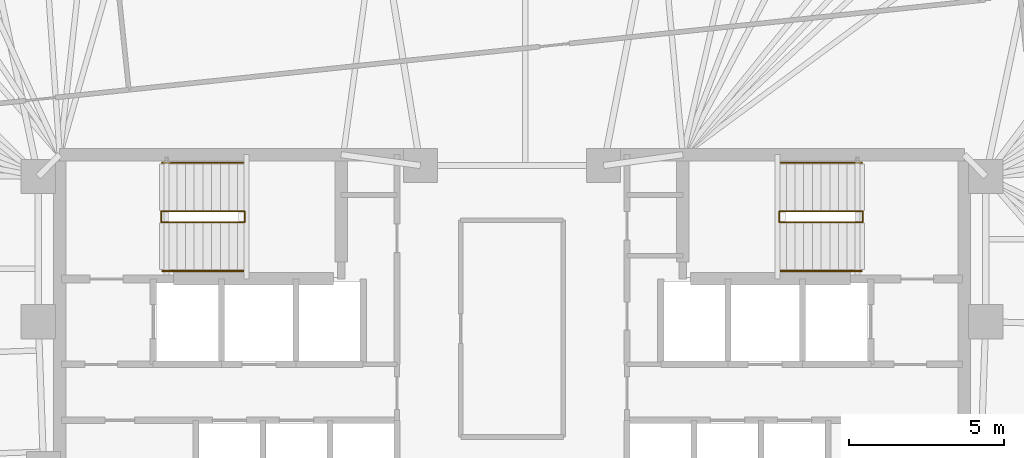
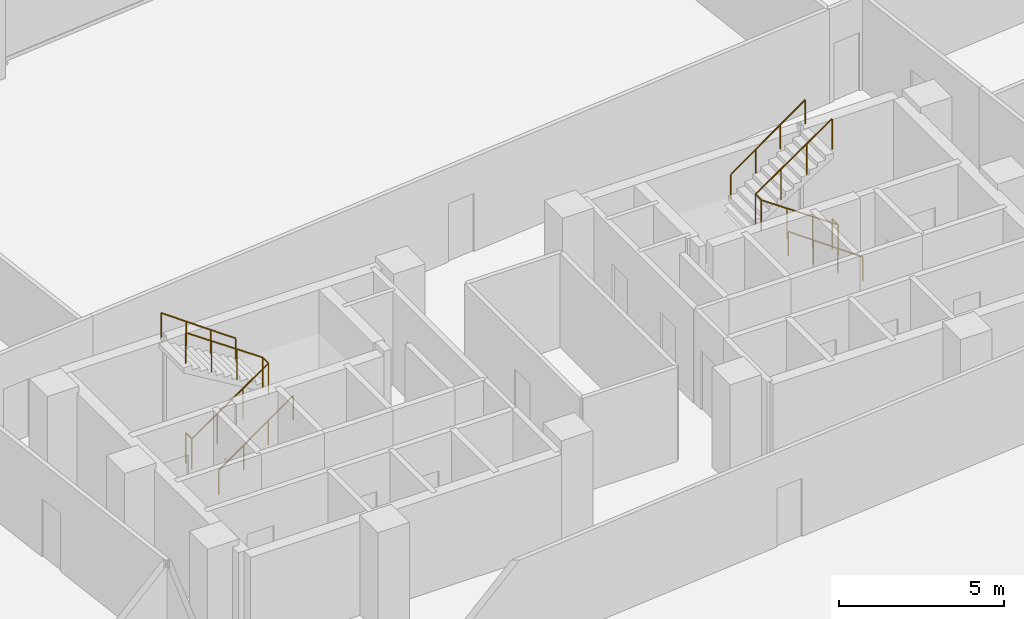
# One storey, part 18 of 18: 6 railings.
"""IFC4 building model written with IfcOpenShell, lengths in metres."""

import ifcopenshell
import ifcopenshell.guid

model = None  # the IFC model being written
_history = None  # IfcOwnerHistory: only IFC2X3 demands one
_inside = {}  # id of a spatial element -> (the spatial element, [elements in it])
_under = {}  # id of a project, library or spatial element -> (it, [spatial elements below it])
_declared = {}  # id of a project -> (the project, [libraries it declares])
_typed = {}  # id of a type object -> (the type object, [elements of that type])
_made_of = {}  # id of a material, layer set ... -> (it, [elements and type objects made of it])


def new_model(schema):
    """Start an empty IFC model of exactly this schema.

    Asked for "IFC4X3", IfcOpenShell would pick the latest addendum, in which some entities
    have other attributes; the version numbers below select the first issue.
    IFC2X3 requires an IfcOwnerHistory on every rooted entity: one is made here for all.
    """
    global model, _history
    if schema == "IFC4X3":
        model = ifcopenshell.file(schema_version=(4, 3, 0, 0))
    else:
        model = ifcopenshell.file(schema=schema)
    _inside.clear()
    _under.clear()
    _declared.clear()
    _typed.clear()
    _made_of.clear()
    _history = None
    if model.schema == "IFC2X3":
        org = make("IfcOrganization", Name="unknown")
        user = make(
            "IfcPersonAndOrganization",
            ThePerson=make("IfcPerson", FamilyName="unknown"),
            TheOrganization=org,
        )
        app = make(
            "IfcApplication",
            ApplicationDeveloper=org,
            Version="unknown",
            ApplicationFullName="unknown",
            ApplicationIdentifier="unknown",
        )
        _history = make(
            "IfcOwnerHistory",
            OwningUser=user,
            OwningApplication=app,
            ChangeAction="ADDED",
            CreationDate=0,
        )
    return model


def make(cls, **values):
    """One entity of the class cls with the attributes given. An attribute that is None is left unset."""
    return model.create_entity(
        cls, **{name: value for name, value in values.items() if value is not None}
    )


def rooted(cls, **values):
    """An entity with a GlobalId (a new one), such as an element, a storey or a relation."""
    return make(cls, GlobalId=ifcopenshell.guid.new(), OwnerHistory=_history, **values)


def si_unit(unit_type, name, prefix=None):
    """IfcSIUnit, for example si_unit("LENGTHUNIT", "METRE", prefix="MILLI")."""
    return make("IfcSIUnit", UnitType=unit_type, Prefix=prefix, Name=name)


def assignment(units):
    """IfcUnitAssignment: the units of a project."""
    return None if units is None else make("IfcUnitAssignment", Units=units)


def point(xyz):
    """IfcCartesianPoint."""
    return None if xyz is None else make("IfcCartesianPoint", Coordinates=xyz)


def direction(xyz):
    """IfcDirection."""
    return None if xyz is None else make("IfcDirection", DirectionRatios=xyz)


def frame(location, z_axis=None, x_axis=None):
    """IfcAxis2Placement3D, a coordinate frame: its origin and axes. An axis left out is left unset."""
    return make(
        "IfcAxis2Placement3D",
        Location=point(location),
        Axis=direction(z_axis),
        RefDirection=direction(x_axis),
    )


def frame_2d(location, x_axis=None):
    """IfcAxis2Placement2D, a coordinate frame in the plane: its origin and x axis."""
    return make(
        "IfcAxis2Placement2D", Location=point(location), RefDirection=direction(x_axis)
    )


def origin():
    """The frame at (0, 0, 0) with its axes left unset."""
    return frame((0.0, 0.0, 0.0))


def origin_2d():
    """The frame at (0, 0) in the plane with its x axis left unset."""
    return frame_2d((0.0, 0.0))


def place(relative_to, where):
    """IfcLocalPlacement: puts the frame where relative to a parent placement (None: the world)."""
    return make(
        "IfcLocalPlacement", PlacementRelTo=relative_to, RelativePlacement=where
    )


def context(
    kind, dimensions, precision=None, world=None, true_north=None, identifier=None
):
    """IfcGeometricRepresentationContext, for example the 3D "Model" context."""
    return make(
        "IfcGeometricRepresentationContext",
        ContextIdentifier=identifier,
        ContextType=kind,
        CoordinateSpaceDimension=dimensions,
        Precision=precision,
        WorldCoordinateSystem=world,
        TrueNorth=true_north,
    )


def subcontext(parent, identifier, kind, view, scale=None):
    """IfcGeometricRepresentationSubContext, for example "Body" below "Model"."""
    return make(
        "IfcGeometricRepresentationSubContext",
        ContextIdentifier=identifier,
        ContextType=kind,
        ParentContext=parent,
        TargetScale=scale,
        TargetView=view,
    )


def project(units=None, contexts=None):
    """IfcProject with its units and contexts."""
    return rooted(
        "IfcProject",
        Name="project",
        RepresentationContexts=contexts,
        UnitsInContext=assignment(units),
    )


def spatial(cls, under=None, at=None, **own):
    """A site, building, storey or space (cls), placed at a placement, below another one or the project."""
    s = rooted(cls, ObjectPlacement=at, **own)
    if under is not None:
        _under.setdefault(under.id(), (under, []))[1].append(s)
    return s


def profile(cls, at=None, kind="AREA", **sizes):
    """A parametric profile (cls). Its sizes go by their IFC names, for example OverallWidth=200.0."""
    return make(cls, ProfileType=kind, Position=at, **sizes)


def circle(**sizes):
    """IfcCircleProfileDef."""
    return profile("IfcCircleProfileDef", **sizes)


def extrude(swept, where, along, depth):
    """IfcExtrudedAreaSolid: the profile swept, set in the frame where, extruded along a direction by depth."""
    return make(
        "IfcExtrudedAreaSolid",
        SweptArea=swept,
        Position=where,
        ExtrudedDirection=direction(along),
        Depth=depth,
    )


def shape(context_of_items, identifier, shape_type, items):
    """IfcShapeRepresentation: the items that make up one representation, for example the "Body"."""
    return make(
        "IfcShapeRepresentation",
        ContextOfItems=context_of_items,
        RepresentationIdentifier=identifier,
        RepresentationType=shape_type,
        Items=items,
    )


def material(Name=None, Category=None):
    """IfcMaterial."""
    return make("IfcMaterial", Name=Name, Category=Category)


def made_of(thing, what):
    """Note that an element or type object is made of a material, layer set ...; save() writes the relation."""
    if what is not None:
        _made_of.setdefault(what.id(), (what, []))[1].append(thing)
    return thing


def type_object(cls, material=None, **own):
    """A type object (cls), such as IfcWallType, which elements share."""
    return made_of(rooted(cls, **own), material)


def element(
    cls,
    number,
    at=None,
    inside=None,
    cuts=None,
    type_object=None,
    material=None,
    context=None,
    identifier="Body",
    shape_type=None,
    held_by="IfcProductDefinitionShape",
    body=None,
    shapes=None,
    **own,
):
    """One element of the class cls, such as IfcWall. Its Tag is "e" and its number.

    at: its placement. inside: the storey or other place that contains it. cuts: it is an
    opening in that element (IfcRelVoidsElement). A single representation is given by context,
    identifier, shape_type and body (its items); several are given by shapes. held_by: the class
    of the entity that holds the representations. save() writes the other relations.
    """
    e = rooted(cls, Tag="e%d" % number, ObjectPlacement=at, **own)
    if body is not None:
        shapes = [shape(context, identifier, shape_type, body)]
    if shapes is not None:
        e.Representation = make(held_by, Representations=shapes)
    if inside is not None:
        _inside.setdefault(inside.id(), (inside, []))[1].append(e)
    if cuts is not None:
        rooted(
            "IfcRelVoidsElement", RelatingBuildingElement=cuts, RelatedOpeningElement=e
        )
    if type_object is not None:
        _typed.setdefault(type_object.id(), (type_object, []))[1].append(e)
    return made_of(e, material)


def aggregate(whole, parts):
    """IfcRelAggregates: a whole, such as a stair, and the parts it consists of."""
    return rooted("IfcRelAggregates", RelatingObject=whole, RelatedObjects=parts)


def save(model, path):
    """Write the relations noted so far, then the file.

    IfcRelAggregates (storeys below a building ...), IfcRelContainedInSpatialStructure (elements
    in a storey), IfcRelDefinesByType, IfcRelAssociatesMaterial and IfcRelDeclares: one each for
    every whole, place, type object, material and project.
    """
    for whole, parts in _under.values():
        aggregate(whole, parts)
    for where, things in _inside.values():
        rooted(
            "IfcRelContainedInSpatialStructure",
            RelatedElements=things,
            RelatingStructure=where,
        )
    for kind, things in _typed.values():
        rooted("IfcRelDefinesByType", RelatedObjects=things, RelatingType=kind)
    for what, things in _made_of.values():
        rooted("IfcRelAssociatesMaterial", RelatedObjects=things, RelatingMaterial=what)
    for by, libraries in _declared.values():
        rooted("IfcRelDeclares", RelatingContext=by, RelatedDefinitions=libraries)
    model.write(path)


model = new_model("IFC4")

# Units and contexts
model_context = context("Model", 3, precision=1e-05, world=origin(), true_north=direction((0.0, 1.0)))
body_context = subcontext(model_context, "Body", "Model", "MODEL_VIEW")
ifc_project = project(units=[si_unit("LENGTHUNIT", "METRE"), si_unit("AREAUNIT", "SQUARE_METRE"), si_unit("VOLUMEUNIT", "CUBIC_METRE"), si_unit("PLANEANGLEUNIT", "RADIAN"), si_unit("MASSUNIT", "GRAM", prefix="KILO")], contexts=[model_context])

# Site, building, storey
site_placement = place(None, origin())
site = spatial("IfcSite", under=ifc_project, at=site_placement, CompositionType="ELEMENT")
building_placement = place(site_placement, origin())
building = spatial("IfcBuilding", under=site, at=building_placement, Name="Menara Jurai Vektor", CompositionType="ELEMENT")
storey_placement = place(building_placement, frame((0.0, 0.0, 135.5)))
storey = spatial("IfcBuildingStorey", under=building, at=storey_placement, Name="L34", CompositionType="ELEMENT", Elevation=135.5)

# Railings
ifc_material_1 = material(Name="Painted Galvanised Steel Balustrade", Category="steel")
railing_type_1 = type_object("IfcRailingType", Name="RAIL-STAIR-GUARD", PredefinedType="GUARDRAIL", material=ifc_material_1)
railing_1_placement = place(storey_placement, frame((-11.2900390625, 3.780029296875, 0.0)))
element("IfcRailing", 1, at=railing_1_placement, inside=storey, type_object=railing_type_1, Name="ST1 Stair Guardrail 1 L34", PredefinedType="GUARDRAIL", context=body_context, shape_type="SweptSolid", body=[
    extrude(circle(Radius=0.02392578125, at=origin_2d()), frame((0.0, 0.0, 1.1259765625), z_axis=(0.0, -1.0, 0.0), x_axis=(1.0, 0.0, 0.0)), (0.0, 0.0, 1.0), 0.360107421875),
    extrude(circle(Radius=0.02392578125, at=origin_2d()), frame((0.0, -0.360107421875, 1.1259765625), z_axis=(0.822944469782, 0.0, 0.568121817619), x_axis=(0.0, 1.0, 0.0)), (0.0, 0.0, 1.0), 3.256591796875),
    extrude(circle(Radius=0.02392578125, at=origin_2d()), frame((2.679931640625, -0.360107421875, 2.97607421875), z_axis=(0.0, 1.0, 0.0), x_axis=(-1.0, 0.0, 0.0)), (0.0, 0.0, 1.0), 0.360107421875),
    extrude(circle(Radius=0.02392578125, at=origin_2d()), frame((2.679931640625, 0.0, 2.97607421875), z_axis=(-0.822979520584, 0.0, 0.568071041948), x_axis=(0.0, -1.0, 0.0)), (0.0, 0.0, 1.0), 3.25634765625),
    extrude(circle(Radius=0.02099609375, at=origin_2d()), origin(), (0.0, 0.0, 1.0), 1.101806640625),
    extrude(circle(Radius=0.02099609375, at=origin_2d()), frame((0.0, -0.360107421875, 0.0)), (0.0, 0.0, 1.0), 1.101806640625),
    extrude(circle(Radius=0.02099609375, at=origin_2d()), frame((0.893310546875, -0.360107421875, 0.61669921875)), (0.0, 0.0, 1.0), 1.101806640625),
    extrude(circle(Radius=0.02099609375, at=origin_2d()), frame((1.78662109375, -0.360107421875, 1.2333984375)), (0.0, 0.0, 1.0), 1.101806640625),
    extrude(circle(Radius=0.02099609375, at=origin_2d()), frame((2.679931640625, -0.360107421875, 1.85009765625)), (0.0, 0.0, 1.0), 1.101806640625),
    extrude(circle(Radius=0.02099609375, at=origin_2d()), frame((2.679931640625, 0.0, 1.85009765625)), (0.0, 0.0, 1.0), 1.101806640625),
    extrude(circle(Radius=0.02099609375, at=origin_2d()), frame((1.78662109375, 0.0, 2.466796875)), (0.0, 0.0, 1.0), 1.101806640625),
    extrude(circle(Radius=0.02099609375, at=origin_2d()), frame((0.893310546875, 0.0, 3.083251953125)), (0.0, 0.0, 1.0), 1.101806640625),
    extrude(circle(Radius=0.02099609375, at=origin_2d()), frame((0.0, 0.0, 3.699951171875)), (0.0, 0.0, 1.0), 1.101806640625),
])
railing_2_placement = place(storey_placement, frame((11.2900390625, 3.780029296875, 0.0)))
element("IfcRailing", 2, at=railing_2_placement, inside=storey, type_object=railing_type_1, Name="ST2 Stair Guardrail 1 L34", PredefinedType="GUARDRAIL", context=body_context, shape_type="SweptSolid", body=[
    extrude(circle(Radius=0.02392578125, at=origin_2d()), frame((0.0, 0.0, 1.1259765625), z_axis=(0.0, -1.0, 0.0), x_axis=(1.0, 0.0, 0.0)), (0.0, 0.0, 1.0), 0.360107421875),
    extrude(circle(Radius=0.02392578125, at=origin_2d()), frame((0.0, -0.360107421875, 1.1259765625), z_axis=(-0.822944469782, 0.0, 0.568121817619), x_axis=(0.0, -1.0, 0.0)), (0.0, 0.0, 1.0), 3.256591796875),
    extrude(circle(Radius=0.02392578125, at=origin_2d()), frame((-2.679931640625, -0.360107421875, 2.97607421875), z_axis=(0.0, 1.0, 0.0), x_axis=(-1.0, 0.0, 0.0)), (0.0, 0.0, 1.0), 0.360107421875),
    extrude(circle(Radius=0.02392578125, at=origin_2d()), frame((-2.679931640625, 0.0, 2.97607421875), z_axis=(0.822979520584, 0.0, 0.568071041948), x_axis=(0.0, 1.0, 0.0)), (0.0, 0.0, 1.0), 3.25634765625),
    extrude(circle(Radius=0.02099609375, at=origin_2d()), origin(), (0.0, 0.0, 1.0), 1.101806640625),
    extrude(circle(Radius=0.02099609375, at=origin_2d()), frame((0.0, -0.360107421875, 0.0)), (0.0, 0.0, 1.0), 1.101806640625),
    extrude(circle(Radius=0.02099609375, at=origin_2d()), frame((-0.893310546875, -0.360107421875, 0.61669921875)), (0.0, 0.0, 1.0), 1.101806640625),
    extrude(circle(Radius=0.02099609375, at=origin_2d()), frame((-1.78662109375, -0.360107421875, 1.2333984375)), (0.0, 0.0, 1.0), 1.101806640625),
    extrude(circle(Radius=0.02099609375, at=origin_2d()), frame((-2.679931640625, -0.360107421875, 1.85009765625)), (0.0, 0.0, 1.0), 1.101806640625),
    extrude(circle(Radius=0.02099609375, at=origin_2d()), frame((-2.679931640625, 0.0, 1.85009765625)), (0.0, 0.0, 1.0), 1.101806640625),
    extrude(circle(Radius=0.02099609375, at=origin_2d()), frame((-1.78662109375, 0.0, 2.466796875)), (0.0, 0.0, 1.0), 1.101806640625),
    extrude(circle(Radius=0.02099609375, at=origin_2d()), frame((-0.893310546875, 0.0, 3.083251953125)), (0.0, 0.0, 1.0), 1.101806640625),
    extrude(circle(Radius=0.02099609375, at=origin_2d()), frame((0.0, 0.0, 3.699951171875)), (0.0, 0.0, 1.0), 1.101806640625),
])
ifc_material_2 = material(Name="Brushed Stainless Steel Handrail", Category="steel")
railing_type_2 = type_object("IfcRailingType", Name="RAIL-STAIR-HAND", PredefinedType="HANDRAIL", material=ifc_material_2)
railing_3_placement = place(storey_placement, frame((-11.25, 1.860107421875, 0.0)))
element("IfcRailing", 3, at=railing_3_placement, inside=storey, type_object=railing_type_2, Name="ST1 Stair Handrail 1 L34", PredefinedType="HANDRAIL", context=body_context, shape_type="SweptSolid", body=[
    extrude(circle(Radius=0.02392578125, at=origin_2d()), frame((0.0, 0.0, 0.89599609375), z_axis=(0.814786671209, 0.0, 0.579760882106), x_axis=(0.0, 1.0, 0.0)), (0.0, 0.0, 1.0), 3.191162109375),
    extrude(circle(Radius=0.02099609375, at=origin_2d()), origin(), (0.0, 0.0, 1.0), 0.871826171875),
    extrude(circle(Radius=0.02099609375, at=origin_2d()), frame((0.86669921875, 0.0, 0.61669921875)), (0.0, 0.0, 1.0), 0.871826171875),
    extrude(circle(Radius=0.02099609375, at=origin_2d()), frame((1.7333984375, 0.0, 1.2333984375)), (0.0, 0.0, 1.0), 0.871826171875),
    extrude(circle(Radius=0.02099609375, at=origin_2d()), frame((2.60009765625, 0.0, 1.85009765625)), (0.0, 0.0, 1.0), 0.871826171875),
])
railing_4_placement = place(storey_placement, frame((-8.64990234375, 5.340087890625, 1.85009765625)))
element("IfcRailing", 4, at=railing_4_placement, inside=storey, type_object=railing_type_2, Name="ST1 Stair Handrail 2 L34", PredefinedType="HANDRAIL", context=body_context, shape_type="SweptSolid", body=[
    extrude(circle(Radius=0.02392578125, at=origin_2d()), frame((0.0, 0.0, 0.89599609375), z_axis=(-0.814822811145, 0.0, 0.579710088267), x_axis=(0.0, -1.0, 0.0)), (0.0, 0.0, 1.0), 3.19091796875),
    extrude(circle(Radius=0.02099609375, at=origin_2d()), origin(), (0.0, 0.0, 1.0), 0.871826171875),
    extrude(circle(Radius=0.02099609375, at=origin_2d()), frame((-0.86669921875, 0.0, 0.61669921875)), (0.0, 0.0, 1.0), 0.871826171875),
    extrude(circle(Radius=0.02099609375, at=origin_2d()), frame((-1.7333984375, 0.0, 1.233154296875)), (0.0, 0.0, 1.0), 0.871826171875),
    extrude(circle(Radius=0.02099609375, at=origin_2d()), frame((-2.60009765625, 0.0, 1.849853515625)), (0.0, 0.0, 1.0), 0.871826171875),
])
railing_5_placement = place(storey_placement, frame((11.25, 1.860107421875, 0.0)))
element("IfcRailing", 5, at=railing_5_placement, inside=storey, type_object=railing_type_2, Name="ST2 Stair Handrail 1 L34", PredefinedType="HANDRAIL", context=body_context, shape_type="SweptSolid", body=[
    extrude(circle(Radius=0.02392578125, at=origin_2d()), frame((0.0, 0.0, 0.89599609375), z_axis=(-0.814786671209, 0.0, 0.579760882106), x_axis=(0.0, -1.0, 0.0)), (0.0, 0.0, 1.0), 3.191162109375),
    extrude(circle(Radius=0.02099609375, at=origin_2d()), origin(), (0.0, 0.0, 1.0), 0.871826171875),
    extrude(circle(Radius=0.02099609375, at=origin_2d()), frame((-0.86669921875, 0.0, 0.61669921875)), (0.0, 0.0, 1.0), 0.871826171875),
    extrude(circle(Radius=0.02099609375, at=origin_2d()), frame((-1.7333984375, 0.0, 1.2333984375)), (0.0, 0.0, 1.0), 0.871826171875),
    extrude(circle(Radius=0.02099609375, at=origin_2d()), frame((-2.60009765625, 0.0, 1.85009765625)), (0.0, 0.0, 1.0), 0.871826171875),
])
railing_6_placement = place(storey_placement, frame((8.64990234375, 5.340087890625, 1.85009765625)))
element("IfcRailing", 6, at=railing_6_placement, inside=storey, type_object=railing_type_2, Name="ST2 Stair Handrail 2 L34", PredefinedType="HANDRAIL", context=body_context, shape_type="SweptSolid", body=[
    extrude(circle(Radius=0.02392578125, at=origin_2d()), frame((0.0, 0.0, 0.89599609375), z_axis=(0.814822811145, 0.0, 0.579710088267), x_axis=(0.0, 1.0, 0.0)), (0.0, 0.0, 1.0), 3.19091796875),
    extrude(circle(Radius=0.02099609375, at=origin_2d()), origin(), (0.0, 0.0, 1.0), 0.871826171875),
    extrude(circle(Radius=0.02099609375, at=origin_2d()), frame((0.86669921875, 0.0, 0.61669921875)), (0.0, 0.0, 1.0), 0.871826171875),
    extrude(circle(Radius=0.02099609375, at=origin_2d()), frame((1.7333984375, 0.0, 1.233154296875)), (0.0, 0.0, 1.0), 0.871826171875),
    extrude(circle(Radius=0.02099609375, at=origin_2d()), frame((2.60009765625, 0.0, 1.849853515625)), (0.0, 0.0, 1.0), 0.871826171875),
])

save(model, "model.ifc")
